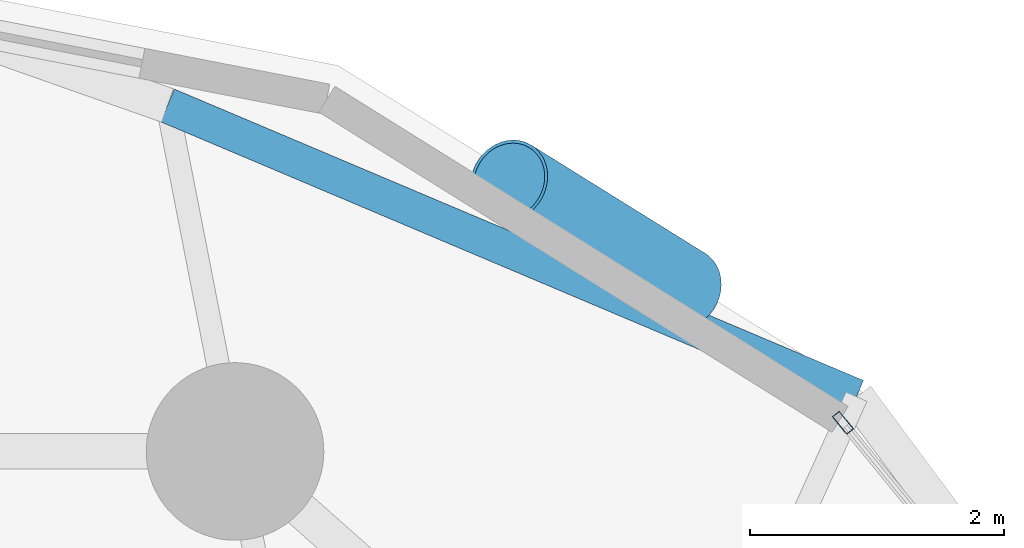
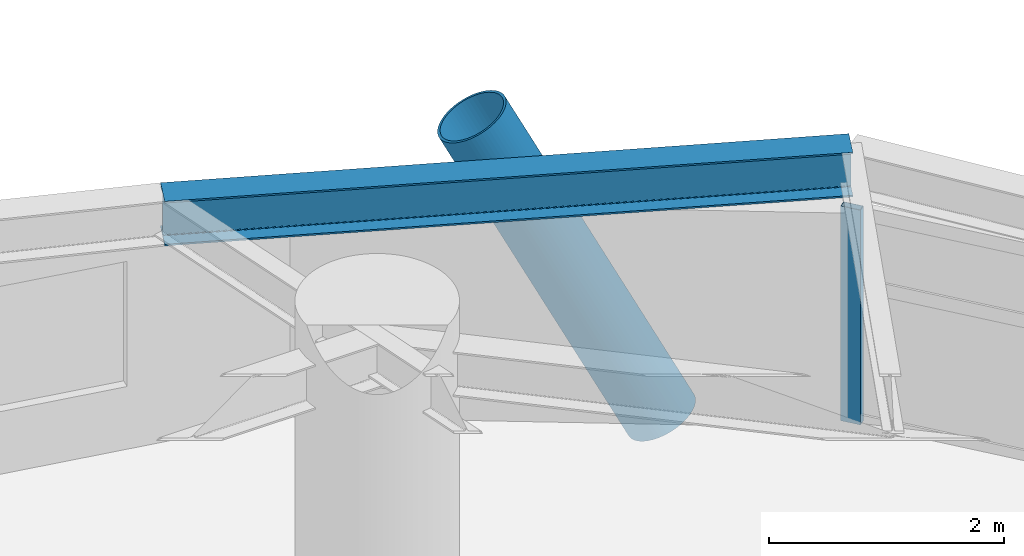
# One storey, part 5 of 19: 2 members, 1 beam, 1 element without a shape of its own.
"""IFC4 building model written with IfcOpenShell, lengths in metres."""

from ifc_helpers import new_model, si_unit, direction, frame, origin, origin_2d, place, context, subcontext, project, spatial, hollow_rectangle, hollow_circle, i_section, extrude, material, layer, layer_set, material_profile, profile_set, type_object, element, aggregate, save


model = new_model("IFC4")

# Units and contexts
model_context = context("Model", 3, precision=1e-05, world=origin(), true_north=direction((0.0, 1.0)))
body_context = subcontext(model_context, "Body", "Model", "MODEL_VIEW")
ifc_project = project(units=[si_unit("LENGTHUNIT", "METRE"), si_unit("AREAUNIT", "SQUARE_METRE"), si_unit("VOLUMEUNIT", "CUBIC_METRE"), si_unit("PLANEANGLEUNIT", "RADIAN"), si_unit("MASSUNIT", "GRAM", prefix="KILO")], contexts=[model_context])

# Site, building, storey
site_placement = place(None, origin())
site = spatial("IfcSite", under=ifc_project, at=site_placement, CompositionType="ELEMENT")
building_placement = place(site_placement, origin())
building = spatial("IfcBuilding", under=site, at=building_placement, Name="Cununo Teusaquillo Station Towers", CompositionType="ELEMENT")
storey_placement = place(building_placement, frame((0.0, 0.0, 144.0400390625)))
storey = spatial("IfcBuildingStorey", under=building, at=storey_placement, Name="L45", CompositionType="ELEMENT", Elevation=144.0400390625)

# Beam
ifc_material_1 = material(Name="Steel ASTM A572 Grade 50", Category="steel")
ifc_material_profile_1 = material_profile(ifc_material_1, i_section(OverallWidth=0.280029296875, OverallDepth=0.462890625, WebThickness=0.0107421875, FlangeThickness=0.017333984375, FilletRadius=0.013916015625, at=origin_2d()), Name="W18X76")
ifc_profile_set_1 = profile_set([ifc_material_profile_1], Name="Steel ASTM A572 Grade 50")
beam_type = type_object("IfcBeamType", Name="BM-RING-Z2", PredefinedType="SPANDREL", material=ifc_profile_set_1)
beam_placement = place(storey_placement, frame((25.160888671875, 39.05419921875, 2.488525390625), z_axis=(-0.921042081118, 0.38946307246, 0.0), x_axis=(-0.38946307246, -0.921042081118, 0.0)))
element("IfcBeam", 1, at=beam_placement, inside=storey, type_object=beam_type, Name="L45 Tower A Spandrel Ring Beam 04", PredefinedType="SPANDREL", context=body_context, shape_type="SweptSolid", body=[
    extrude(i_section(OverallWidth=0.280029296875, OverallDepth=0.462890625, WebThickness=0.0107421875, FlangeThickness=0.017333984375, FilletRadius=0.013916015625, at=origin_2d()), origin(), (0.0, 0.0, 1.0), 5.8974609375),
])

# Curtain wall, member
ifc_material_2 = material(Name="Ceramic-fritted dark low-E double glazing", Category="glass")
ifc_layer = layer(ifc_material_2, 0.179931640625)
ifc_layer_set = layer_set([ifc_layer], Name="Ceramic-fritted dark low-E double glazing")
curtain_wall_type = type_object("IfcCurtainWallType", Name="CW-SYS-04", PredefinedType="USERDEFINED", material=ifc_layer_set)
curtain_wall_placement = place(storey_placement, origin())
curtain_wall = element("IfcCurtainWall", 2, at=curtain_wall_placement, inside=storey, type_object=curtain_wall_type, Name="L45 Tower A Facade Curtain Wall C02", ObjectType="FRITTED GLAZING", PredefinedType="USERDEFINED")
ifc_material_3 = material(Name="Anodised dark bronze aluminium EN AW-6063-T6", Category="aluminium")
ifc_material_profile_2 = material_profile(ifc_material_3, hollow_rectangle(XDim=0.070068359375, YDim=0.179931640625, WallThickness=0.00390625, at=origin_2d()), Name="CW-MULL-70x180")
ifc_profile_set_2 = profile_set([ifc_material_profile_2], Name="Anodised dark bronze aluminium EN AW-6063-T6")
member_type_1 = type_object("IfcMemberType", Name="CWM-180", PredefinedType="MULLION", material=ifc_profile_set_2)
member_1_placement = place(storey_placement, frame((25.053955078125, 38.84912109375, 0.0), z_axis=(0.0, 0.0, 1.0), x_axis=(0.774468364277, 0.632612640352, 0.0)))
member_1 = element("IfcMember", 3, at=member_1_placement, type_object=member_type_1, Name="CW-04 mullion 1", PredefinedType="MULLION", context=body_context, shape_type="SweptSolid", body=[
    extrude(hollow_rectangle(XDim=0.070068359375, YDim=0.179931640625, WallThickness=0.00390625, at=origin_2d()), origin(), (0.0, 0.0, 1.0), 2.22900390625),
])
aggregate(curtain_wall, [member_1])

# Member
ifc_material_4 = material(Name="Steel EN 10025-2 S355J2", Category="steel")
ifc_material_profile_3 = material_profile(ifc_material_4, hollow_circle(Radius=0.330078125, WallThickness=0.02490234375, at=origin_2d()), Name="CHS 660x25")
ifc_profile_set_3 = profile_set([ifc_material_profile_3], Name="Steel EN 10025-2 S355J2")
member_type_2 = type_object("IfcMemberType", Name="MBR-DIAG-Z2", PredefinedType="BRACE", material=ifc_profile_set_3)
member_2_placement = place(storey_placement, frame((23.791748046875, 39.906005859375, -0.14013671875), z_axis=(-0.395829736564, 0.246264256575, 0.884687931186), x_axis=(-0.528255801217, -0.849085277508, 0.0)))
element("IfcMember", 4, at=member_2_placement, inside=storey, type_object=member_type_2, Name="L45 Tower A Folded-Zigzag Diagrid Tube C03", PredefinedType="BRACE", context=body_context, shape_type="SweptSolid", body=[
    extrude(hollow_circle(Radius=0.330078125, WallThickness=0.02490234375, at=origin_2d()), origin(), (0.0, 0.0, 1.0), 3.458984375),
])

save(model, "model.ifc")
